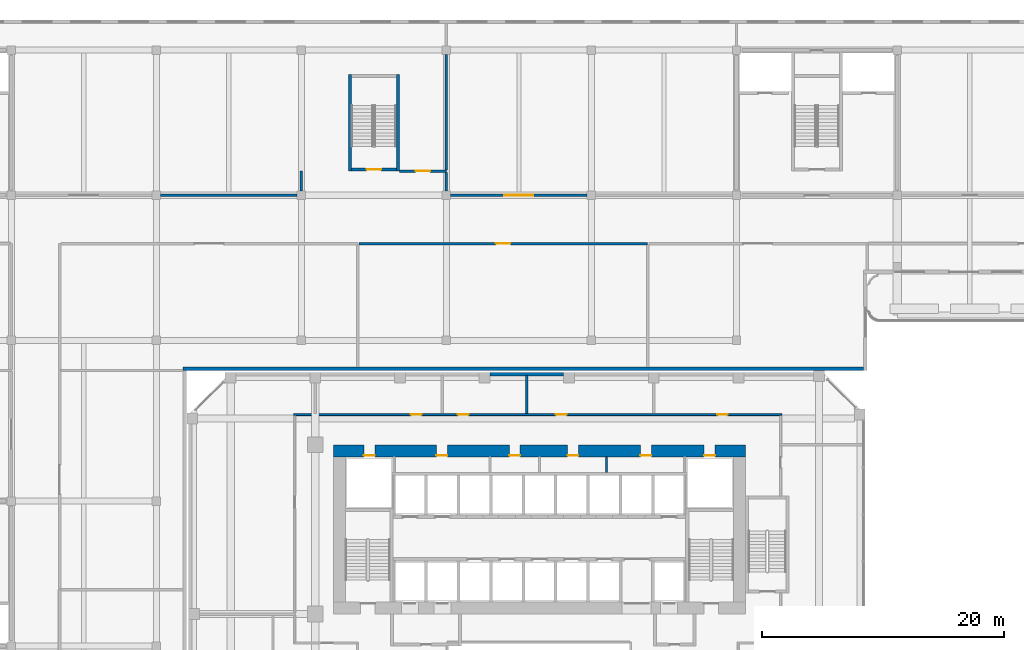
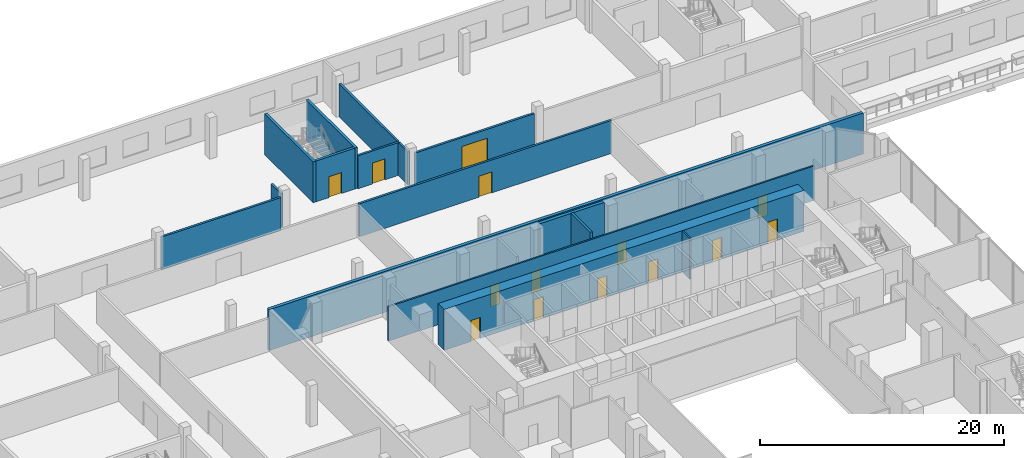
# One storey, part 22 of 36: 16 walls, 14 doors, 14 openings.
"""IFC4 building model written with IfcOpenShell, lengths in metres."""

from ifc_helpers import new_model, si_unit, direction, frame, frame_2d, origin, place, context, subcontext, project, spatial, rectangle, extrude, source, transform, mapped, material, layer, layer_set, type_object, element, fill, save


model = new_model("IFC4")

# Units and contexts
model_context = context("Model", 3, precision=1e-05, world=origin(), true_north=direction((0.0, 1.0)))
body_context = subcontext(model_context, "Body", "Model", "MODEL_VIEW")
ifc_project = project(units=[si_unit("LENGTHUNIT", "METRE"), si_unit("AREAUNIT", "SQUARE_METRE"), si_unit("VOLUMEUNIT", "CUBIC_METRE"), si_unit("PLANEANGLEUNIT", "RADIAN"), si_unit("MASSUNIT", "GRAM", prefix="KILO")], contexts=[model_context])

# Site, building, storey
site_placement = place(None, origin())
site = spatial("IfcSite", under=ifc_project, at=site_placement, CompositionType="ELEMENT")
building_placement = place(site_placement, origin())
building = spatial("IfcBuilding", under=site, at=building_placement, Name="Kilnfold Tower and Market Hall", CompositionType="ELEMENT")
storey_placement = place(building_placement, frame((0.0, 0.0, 18.0)))
storey = spatial("IfcBuildingStorey", under=building, at=storey_placement, Name="L03", CompositionType="ELEMENT", Elevation=18.0)

# Wall, openings, doors
ifc_material_1 = material(Name="Gypsum board on steel studs", Category="steel")
ifc_layer_1 = layer(ifc_material_1, 0.14990234375)
ifc_layer_set_1 = layer_set([ifc_layer_1], Name="Gypsum board on steel studs")
wall_type_1 = type_object("IfcWallType", Name="WALL CORRIDOR 150", PredefinedType="PARTITIONING", material=ifc_layer_set_1)
wall_1_placement = place(storey_placement, frame((-19.27490234375, 24.5, 0.0), z_axis=(0.0, 0.0, 1.0), x_axis=(1.0, 0.0, 0.0)))
wall_1 = element("IfcWall", 1, at=wall_1_placement, inside=storey, type_object=wall_type_1, Name="Partition LY04.35", PredefinedType="PARTITIONING", context=body_context, shape_type="SweptSolid", body=[
    extrude(rectangle(XDim=40.349853515625, YDim=0.14990234375, at=frame_2d((20.1748046875, 0.0))), origin(), (0.0, 0.0, 1.0), 3.449951171875),
])
opening_1_placement = place(wall_1_placement, frame((9.681884765625, 0.0, 0.0)))
opening_1 = element("IfcOpeningElement", 2, at=opening_1_placement, cuts=wall_1, Name="Opening D3", PredefinedType="OPENING", context=body_context, shape_type="SweptSolid", body=[
    extrude(rectangle(XDim=0.89990234375, YDim=2.10009765625, at=frame_2d((0.449951171875, 1.050048828125))), frame((0.0, 0.0849609375, 0.0), z_axis=(0.0, -1.0, 0.0), x_axis=(1.0, 0.0, 0.0)), (0.0, 0.0, 1.0), 0.169921875),
])
opening_2_placement = place(wall_1_placement, frame((13.569091796875, 0.0, 0.0)))
opening_2 = element("IfcOpeningElement", 3, at=opening_2_placement, cuts=wall_1, Name="Opening D2", PredefinedType="OPENING", context=body_context, shape_type="SweptSolid", body=[
    extrude(rectangle(XDim=0.89990234375, YDim=2.10009765625, at=frame_2d((0.449951171875, 1.050048828125))), frame((0.0, 0.0849609375, 0.0), z_axis=(0.0, -1.0, 0.0), x_axis=(1.0, 0.0, 0.0)), (0.0, 0.0, 1.0), 0.169921875),
])
opening_3_placement = place(wall_1_placement, frame((21.669921875, 0.0, 0.0)))
opening_3 = element("IfcOpeningElement", 4, at=opening_3_placement, cuts=wall_1, Name="Opening D2", PredefinedType="OPENING", context=body_context, shape_type="SweptSolid", body=[
    extrude(rectangle(XDim=0.89990234375, YDim=2.10009765625, at=frame_2d((0.449951171875, 1.050048828125))), frame((0.0, 0.0849609375, 0.0), z_axis=(0.0, -1.0, 0.0), x_axis=(1.0, 0.0, 0.0)), (0.0, 0.0, 1.0), 0.169921875),
])
opening_4_placement = place(wall_1_placement, frame((35.010986328125, 0.0, 0.0)))
opening_4 = element("IfcOpeningElement", 5, at=opening_4_placement, cuts=wall_1, Name="Opening D2", PredefinedType="OPENING", context=body_context, shape_type="SweptSolid", body=[
    extrude(rectangle(XDim=0.89990234375, YDim=2.10009765625, at=frame_2d((0.449951171875, 1.050048828125))), frame((0.0, 0.0849609375, 0.0), z_axis=(0.0, -1.0, 0.0), x_axis=(1.0, 0.0, 0.0)), (0.0, 0.0, 1.0), 0.169921875),
])
ifc_material_2 = material(Name="Timber veneer door leaf in steel frame", Category="steel")
door_type_1 = type_object("IfcDoorType", Name="DOOR ROOM 900 X2100", OperationType="NOTDEFINED", PredefinedType="DOOR", material=ifc_material_2)
door_1_placement = place(opening_2_placement, origin())
door_1 = element("IfcDoor", 6, at=door_1_placement, inside=storey, type_object=door_type_1, Name="Door D2", OperationType="SINGLE_SWING_LEFT", OverallHeight=2.10009765625, OverallWidth=0.89990234375, PredefinedType="DOOR", context=body_context, shape_type="SweptSolid", body=[
    extrude(rectangle(XDim=0.89990234375, YDim=2.10009765625, at=frame_2d((0.449951171875, 1.050048828125))), frame((0.0, 0.02490234375, 0.0), z_axis=(0.0, -1.0, 0.0), x_axis=(1.0, 0.0, 0.0)), (0.0, 0.0, 1.0), 0.050048828125),
])
fill(opening_2, door_1)
door_2_placement = place(opening_3_placement, origin())
door_2 = element("IfcDoor", 7, at=door_2_placement, inside=storey, type_object=door_type_1, Name="Door D2", OperationType="SINGLE_SWING_LEFT", OverallHeight=2.10009765625, OverallWidth=0.89990234375, PredefinedType="DOOR", context=body_context, shape_type="SweptSolid", body=[
    extrude(rectangle(XDim=0.89990234375, YDim=2.10009765625, at=frame_2d((0.449951171875, 1.050048828125))), frame((0.0, 0.02490234375, 0.0), z_axis=(0.0, -1.0, 0.0), x_axis=(1.0, 0.0, 0.0)), (0.0, 0.0, 1.0), 0.050048828125),
])
fill(opening_3, door_2)
door_3_placement = place(opening_4_placement, origin())
door_3 = element("IfcDoor", 8, at=door_3_placement, inside=storey, type_object=door_type_1, Name="Door D2", OperationType="SINGLE_SWING_LEFT", OverallHeight=2.10009765625, OverallWidth=0.89990234375, PredefinedType="DOOR", context=body_context, shape_type="SweptSolid", body=[
    extrude(rectangle(XDim=0.89990234375, YDim=2.10009765625, at=frame_2d((0.449951171875, 1.050048828125))), frame((0.0, 0.02490234375, 0.0), z_axis=(0.0, -1.0, 0.0), x_axis=(1.0, 0.0, 0.0)), (0.0, 0.0, 1.0), 0.050048828125),
])
fill(opening_4, door_3)
ifc_material_3 = material(Name="Timber veneer door leaf in steel frame", Category="steel")
door_type_2 = type_object("IfcDoorType", Name="DOOR WC 900 X2100", OperationType="NOTDEFINED", PredefinedType="DOOR", material=ifc_material_3)
door_4_placement = place(opening_1_placement, origin())
door_4 = element("IfcDoor", 9, at=door_4_placement, inside=storey, type_object=door_type_2, Name="Door D3", OperationType="SINGLE_SWING_RIGHT", OverallHeight=2.10009765625, OverallWidth=0.89990234375, PredefinedType="DOOR", context=body_context, shape_type="SweptSolid", body=[
    extrude(rectangle(XDim=0.89990234375, YDim=2.10009765625, at=frame_2d((0.449951171875, 1.050048828125))), frame((0.0, 0.02490234375, 0.0), z_axis=(0.0, -1.0, 0.0), x_axis=(1.0, 0.0, 0.0)), (0.0, 0.0, 1.0), 0.050048828125),
])
fill(opening_1, door_4)

# Wall
ifc_material_4 = material(Name="Gypsum board on steel studs", Category="steel")
ifc_layer_2 = layer(ifc_material_4, 0.199951171875)
ifc_layer_set_2 = layer_set([ifc_layer_2], Name="Gypsum board on steel studs")
wall_type_2 = type_object("IfcWallType", Name="WALL PARTY 200", PredefinedType="PARTITIONING", material=ifc_layer_set_2)
wall_2_placement = place(storey_placement, frame((0.0, 24.575927734375, 0.0), z_axis=(0.0, 0.0, 1.0), x_axis=(0.0, 1.0, 0.0)))
element("IfcWall", 10, at=wall_2_placement, inside=storey, type_object=wall_type_2, Name="Partition LY04.63", PredefinedType="PARTITIONING", context=body_context, shape_type="SweptSolid", body=[
    extrude(rectangle(XDim=3.174072265625, YDim=0.199951171875, at=frame_2d((1.5869140625, 0.0))), origin(), (0.0, 0.0, 1.0), 4.10009765625),
])

# Wall, openings, doors
ifc_material_5 = material(Name="Concrete C80", Category="concrete")
ifc_layer_3 = layer(ifc_material_5, 1.0)
ifc_layer_set_3 = layer_set([ifc_layer_3], Name="Concrete C80")
wall_type_3 = type_object("IfcWallType", Name="CORE WALL 1000 C80", PredefinedType="SHEAR", material=ifc_layer_set_3)
shared_shape_1 = source(origin(), body_context, "Body", "SweptSolid", [
    extrude(rectangle(XDim=34.10009765625, YDim=1.0, at=frame_2d((17.050048828125, 0.0))), origin(), (0.0, 0.0, 1.0), 4.10009765625),
])
wall_3_placement = place(storey_placement, frame((-16.0, 21.5, 0.0), z_axis=(0.0, 0.0, 1.0), x_axis=(1.0, 0.0, 0.0)))
wall_3 = element("IfcWall", 11, at=wall_3_placement, inside=storey, type_object=wall_type_3, Name="Core outer wall north", PredefinedType="SHEAR", context=body_context, shape_type="MappedRepresentation", body=[
    mapped(shared_shape_1, transform((0.0, 0.0, 0.0))),
])
opening_5_placement = place(wall_3_placement, frame((8.519775390625, 0.0, 0.0)))
opening_5 = element("IfcOpeningElement", 12, at=opening_5_placement, cuts=wall_3, Name="Opening KD1", PredefinedType="OPENING", context=body_context, shape_type="SweptSolid", body=[
    extrude(rectangle(XDim=0.89990234375, YDim=2.10009765625, at=frame_2d((0.449951171875, 1.050048828125))), frame((0.0, 0.510009765625, 0.0), z_axis=(0.0, -1.0, 0.0), x_axis=(1.0, 0.0, 0.0)), (0.0, 0.0, 1.0), 1.02001953125),
])
opening_6_placement = place(wall_3_placement, frame((14.5498046875, 0.0, 0.0)))
opening_6 = element("IfcOpeningElement", 13, at=opening_6_placement, cuts=wall_3, Name="Opening KD1", PredefinedType="OPENING", context=body_context, shape_type="SweptSolid", body=[
    extrude(rectangle(XDim=0.89990234375, YDim=2.10009765625, at=frame_2d((0.449951171875, 1.050048828125))), frame((0.0, 0.510009765625, 0.0), z_axis=(0.0, -1.0, 0.0), x_axis=(1.0, 0.0, 0.0)), (0.0, 0.0, 1.0), 1.02001953125),
])
opening_7_placement = place(wall_3_placement, frame((19.373779296875, 0.0, 0.0)))
opening_7 = element("IfcOpeningElement", 14, at=opening_7_placement, cuts=wall_3, Name="Opening KD1", PredefinedType="OPENING", context=body_context, shape_type="SweptSolid", body=[
    extrude(rectangle(XDim=0.89990234375, YDim=2.10009765625, at=frame_2d((0.449951171875, 1.050048828125))), frame((0.0, 0.510009765625, 0.0), z_axis=(0.0, -1.0, 0.0), x_axis=(1.0, 0.0, 0.0)), (0.0, 0.0, 1.0), 1.02001953125),
])
opening_8_placement = place(wall_3_placement, frame((25.40380859375, 0.0, 0.0)))
opening_8 = element("IfcOpeningElement", 15, at=opening_8_placement, cuts=wall_3, Name="Opening KD1", PredefinedType="OPENING", context=body_context, shape_type="SweptSolid", body=[
    extrude(rectangle(XDim=0.89990234375, YDim=2.10009765625, at=frame_2d((0.449951171875, 1.050048828125))), frame((0.0, 0.510009765625, 0.0), z_axis=(0.0, -1.0, 0.0), x_axis=(1.0, 0.0, 0.0)), (0.0, 0.0, 1.0), 1.02001953125),
])
opening_9_placement = place(wall_3_placement, frame((2.52490234375, 0.0, 0.0)))
opening_9 = element("IfcOpeningElement", 16, at=opening_9_placement, cuts=wall_3, Name="Opening KD1", PredefinedType="OPENING", context=body_context, shape_type="SweptSolid", body=[
    extrude(rectangle(XDim=0.89990234375, YDim=2.10009765625, at=frame_2d((0.449951171875, 1.050048828125))), frame((0.0, 0.510009765625, 0.0), z_axis=(0.0, -1.0, 0.0), x_axis=(1.0, 0.0, 0.0)), (0.0, 0.0, 1.0), 1.02001953125),
])
opening_10_placement = place(wall_3_placement, frame((30.675048828125, 0.0, 0.0)))
opening_10 = element("IfcOpeningElement", 17, at=opening_10_placement, cuts=wall_3, Name="Opening KD1", PredefinedType="OPENING", context=body_context, shape_type="SweptSolid", body=[
    extrude(rectangle(XDim=0.89990234375, YDim=2.10009765625, at=frame_2d((0.449951171875, 1.050048828125))), frame((0.0, 0.510009765625, 0.0), z_axis=(0.0, -1.0, 0.0), x_axis=(1.0, 0.0, 0.0)), (0.0, 0.0, 1.0), 1.02001953125),
])
ifc_material_6 = material(Name="Steel door set with fire-resisting leaf", Category="steel")
door_type_3 = type_object("IfcDoorType", Name="SERVICE DOOR 900X2100", OperationType="NOTDEFINED", PredefinedType="DOOR", material=ifc_material_6)
door_5_placement = place(opening_5_placement, origin())
door_5 = element("IfcDoor", 18, at=door_5_placement, inside=storey, type_object=door_type_3, Name="Core service door", OperationType="SINGLE_SWING_RIGHT", OverallHeight=2.10009765625, OverallWidth=0.89990234375, PredefinedType="DOOR", context=body_context, shape_type="SweptSolid", body=[
    extrude(rectangle(XDim=0.89990234375, YDim=2.10009765625, at=frame_2d((0.449951171875, 1.050048828125))), frame((0.0, -0.35498046875, 0.0), z_axis=(0.0, -1.0, 0.0), x_axis=(1.0, 0.0, 0.0)), (0.0, 0.0, 1.0), 0.050048828125),
])
fill(opening_5, door_5)
door_6_placement = place(opening_6_placement, origin())
door_6 = element("IfcDoor", 19, at=door_6_placement, inside=storey, type_object=door_type_3, Name="Core service door", OperationType="SINGLE_SWING_LEFT", OverallHeight=2.10009765625, OverallWidth=0.89990234375, PredefinedType="DOOR", context=body_context, shape_type="SweptSolid", body=[
    extrude(rectangle(XDim=0.89990234375, YDim=2.10009765625, at=frame_2d((0.449951171875, 1.050048828125))), frame((0.0, -0.35498046875, 0.0), z_axis=(0.0, -1.0, 0.0), x_axis=(1.0, 0.0, 0.0)), (0.0, 0.0, 1.0), 0.050048828125),
])
fill(opening_6, door_6)
door_7_placement = place(opening_7_placement, origin())
door_7 = element("IfcDoor", 20, at=door_7_placement, inside=storey, type_object=door_type_3, Name="Core service door", OperationType="SINGLE_SWING_RIGHT", OverallHeight=2.10009765625, OverallWidth=0.89990234375, PredefinedType="DOOR", context=body_context, shape_type="SweptSolid", body=[
    extrude(rectangle(XDim=0.89990234375, YDim=2.10009765625, at=frame_2d((0.449951171875, 1.050048828125))), frame((0.0, -0.35498046875, 0.0), z_axis=(0.0, -1.0, 0.0), x_axis=(1.0, 0.0, 0.0)), (0.0, 0.0, 1.0), 0.050048828125),
])
fill(opening_7, door_7)
door_8_placement = place(opening_8_placement, origin())
door_8 = element("IfcDoor", 21, at=door_8_placement, inside=storey, type_object=door_type_3, Name="Core service door", OperationType="SINGLE_SWING_LEFT", OverallHeight=2.10009765625, OverallWidth=0.89990234375, PredefinedType="DOOR", context=body_context, shape_type="SweptSolid", body=[
    extrude(rectangle(XDim=0.89990234375, YDim=2.10009765625, at=frame_2d((0.449951171875, 1.050048828125))), frame((0.0, -0.35498046875, 0.0), z_axis=(0.0, -1.0, 0.0), x_axis=(1.0, 0.0, 0.0)), (0.0, 0.0, 1.0), 0.050048828125),
])
fill(opening_8, door_8)
door_9_placement = place(opening_9_placement, origin())
door_9 = element("IfcDoor", 22, at=door_9_placement, inside=storey, type_object=door_type_3, Name="Electrical riser access door", OperationType="SINGLE_SWING_RIGHT", OverallHeight=2.10009765625, OverallWidth=0.89990234375, PredefinedType="DOOR", context=body_context, shape_type="SweptSolid", body=[
    extrude(rectangle(XDim=0.89990234375, YDim=2.10009765625, at=frame_2d((0.449951171875, 1.050048828125))), frame((0.0, -0.35498046875, 0.0), z_axis=(0.0, -1.0, 0.0), x_axis=(1.0, 0.0, 0.0)), (0.0, 0.0, 1.0), 0.050048828125),
])
fill(opening_9, door_9)
door_10_placement = place(opening_10_placement, origin())
door_10 = element("IfcDoor", 23, at=door_10_placement, inside=storey, type_object=door_type_3, Name="Mechanical riser access door", OperationType="SINGLE_SWING_LEFT", OverallHeight=2.10009765625, OverallWidth=0.89990234375, PredefinedType="DOOR", context=body_context, shape_type="SweptSolid", body=[
    extrude(rectangle(XDim=0.89990234375, YDim=2.10009765625, at=frame_2d((0.449951171875, 1.050048828125))), frame((0.0, -0.35498046875, 0.0), z_axis=(0.0, -1.0, 0.0), x_axis=(1.0, 0.0, 0.0)), (0.0, 0.0, 1.0), 0.050048828125),
])
fill(opening_10, door_10)

# Wall, opening, door
ifc_material_7 = material(Name="Concrete C50/60", Category="concrete")
ifc_layer_4 = layer(ifc_material_7, 0.25)
ifc_layer_set_4 = layer_set([ifc_layer_4], Name="Concrete C50/60")
wall_type_4 = type_object("IfcWallType", Name="HALL CORE WALL 250", PredefinedType="SHEAR", material=ifc_layer_set_4)
shared_shape_2 = source(origin(), body_context, "Body", "SweptSolid", [
    extrude(rectangle(XDim=3.699951171875, YDim=0.25, at=frame_2d((1.85009765625, 0.0))), origin(), (0.0, 0.0, 1.0), 4.10009765625),
])
wall_4_placement = place(storey_placement, frame((-14.5, 44.77490234375, 0.0), z_axis=(0.0, 0.0, 1.0), x_axis=(1.0, 0.0, 0.0)))
wall_4 = element("IfcWall", 24, at=wall_4_placement, inside=storey, type_object=wall_type_4, Name="Core wall MS4", PredefinedType="SHEAR", context=body_context, shape_type="MappedRepresentation", body=[
    mapped(shared_shape_2, transform((0.0, 0.0, 0.0))),
])
opening_11_placement = place(wall_4_placement, frame((1.25, 0.0, 0.0)))
opening_11 = element("IfcOpeningElement", 25, at=opening_11_placement, cuts=wall_4, Name="Opening MD9-60", PredefinedType="OPENING", context=body_context, shape_type="SweptSolid", body=[
    extrude(rectangle(XDim=1.199951171875, YDim=2.10009765625, at=frame_2d((0.60009765625, 1.050048828125))), frame((0.0, 0.135009765625, 0.0), z_axis=(0.0, -1.0, 0.0), x_axis=(1.0, 0.0, 0.0)), (0.0, 0.0, 1.0), 0.27001953125),
])
ifc_material_8 = material(Name="Steel S355", Category="steel")
door_type_4 = type_object("IfcDoorType", Name="HALL DOOR STAIR 1200X2100 FD60", OperationType="NOTDEFINED", PredefinedType="DOOR", material=ifc_material_8)
door_11_placement = place(opening_11_placement, origin())
door_11 = element("IfcDoor", 26, at=door_11_placement, inside=storey, type_object=door_type_4, Name="Door MD9-60", OperationType="DOUBLE_DOOR_SINGLE_SWING", OverallHeight=2.10009765625, OverallWidth=1.199951171875, PredefinedType="DOOR", context=body_context, shape_type="SweptSolid", body=[
    extrude(rectangle(XDim=1.199951171875, YDim=2.10009765625, at=frame_2d((0.60009765625, 1.050048828125))), frame((0.0, 0.02490234375, 0.0), z_axis=(0.0, -1.0, 0.0), x_axis=(1.0, 0.0, 0.0)), (0.0, 0.0, 1.0), 0.050048828125),
])
fill(opening_11, door_11)

# Walls
shared_shape_3 = source(origin(), body_context, "Body", "SweptSolid", [
    extrude(rectangle(XDim=8.0, YDim=0.25, at=frame_2d((4.0, 0.0))), origin(), (0.0, 0.0, 1.0), 4.10009765625),
])
for number, where, z_axis, x_axis, name in (
    (27, (-14.625, 44.64990234375, 0.0), (0.0, 0.0, 1.0), (0.0, 1.0, 0.0), "Core wall MS4"),
    (28, (-10.675048828125, 44.64990234375, 0.0), (0.0, 0.0, 1.0), (0.0, 1.0, 0.0), "Core wall MS4"),
):
    element("IfcWall", number, at=place(storey_placement, frame(where, z_axis=z_axis, x_axis=x_axis)), inside=storey, type_object=wall_type_4, Name=name, PredefinedType="SHEAR", context=body_context, shape_type="MappedRepresentation", body=[
        mapped(shared_shape_3, transform((0.0, 0.0, 0.0))),
    ])
ifc_material_9 = material(Name="Precast concrete C50/60", Category="concrete")
ifc_layer_5 = layer(ifc_material_9, 0.300048828125)
ifc_layer_set_5 = layer_set([ifc_layer_5], Name="Precast concrete C50/60")
wall_type_5 = type_object("IfcWallType", Name="PRECAST WALL 300", PredefinedType="SOLIDWALL", material=ifc_layer_set_5)
shared_shape_4 = source(origin(), body_context, "Body", "SweptSolid", [
    extrude(rectangle(XDim=6.10009765625, YDim=0.300048828125, at=frame_2d((3.050048828125, 0.0))), origin(), (0.0, 0.0, 1.0), 4.10009765625),
])
wall_5_placement = place(storey_placement, frame((3.050048828125, 27.85009765625, 0.0), z_axis=(0.0, 0.0, 1.0), x_axis=(-1.0, 0.0, 0.0)))
element("IfcWall", 29, at=wall_5_placement, inside=storey, type_object=wall_type_5, Name="Party wall L03 N", PredefinedType="SOLIDWALL", context=body_context, shape_type="MappedRepresentation", body=[
    mapped(shared_shape_4, transform((0.0, 0.0, 0.0))),
])
ifc_material_10 = material(Name="Concrete blockwork", Category="masonry")
ifc_layer_6 = layer(ifc_material_10, 0.300048828125)
ifc_layer_set_6 = layer_set([ifc_layer_6], Name="Concrete blockwork")
wall_type_6 = type_object("IfcWallType", Name="HALL EXTERNAL WALL 300 EI 120", PredefinedType="SOLIDWALL", material=ifc_layer_set_6)
shared_shape_5 = source(origin(), body_context, "Body", "SweptSolid", [
    extrude(rectangle(XDim=56.300048828125, YDim=0.300048828125, at=frame_2d((28.14990234375, 0.0))), origin(), (0.0, 0.0, 1.0), 4.10009765625),
])
wall_6_placement = place(storey_placement, frame((27.85009765625, 28.300048828125, 0.0), z_axis=(0.0, 0.0, 1.0), x_axis=(-1.0, 0.0, 0.0)))
element("IfcWall", 30, at=wall_6_placement, inside=storey, type_object=wall_type_6, Name="Joint wall MEW-L03.6", PredefinedType="SOLIDWALL", context=body_context, shape_type="MappedRepresentation", body=[
    mapped(shared_shape_5, transform((0.0, 0.0, 0.0))),
])
ifc_material_11 = material(Name="Gypsum shaft wall system")
ifc_layer_7 = layer(ifc_material_11, 0.14990234375)
ifc_layer_set_7 = layer_set([ifc_layer_7], Name="Gypsum shaft wall system")
wall_type_7 = type_object("IfcWallType", Name="ROOM WALL 150", PredefinedType="PARTITIONING", material=ifc_layer_set_7)
shared_shape_6 = source(origin(), body_context, "Body", "SweptSolid", [
    extrude(rectangle(XDim=1.27490234375, YDim=0.14990234375, at=frame_2d((0.637451171875, 0.0))), origin(), (0.0, 0.0, 1.0), 4.10009765625),
])
wall_7_placement = place(storey_placement, frame((6.59765625, 19.72509765625, 0.0), z_axis=(0.0, 0.0, 1.0), x_axis=(0.0, 1.0, 0.0)))
element("IfcWall", 31, at=wall_7_placement, inside=storey, type_object=wall_type_7, Name="Core room wall", PredefinedType="PARTITIONING", context=body_context, shape_type="MappedRepresentation", body=[
    mapped(shared_shape_6, transform((0.0, 0.0, 0.0))),
])

# Wall, opening, door
ifc_material_12 = material(Name="Concrete blockwork", Category="masonry")
ifc_layer_8 = layer(ifc_material_12, 0.199951171875)
ifc_layer_set_8 = layer_set([ifc_layer_8], Name="Concrete blockwork")
wall_type_8 = type_object("IfcWallType", Name="HALL PARTITION 200 EI 120", PredefinedType="PARTITIONING", material=ifc_layer_set_8)
shared_shape_7 = source(origin(), body_context, "Body", "SweptSolid", [
    extrude(rectangle(XDim=3.900146484375, YDim=0.199951171875, at=frame_2d((1.9501953125, 0.0))), origin(), (0.0, 0.0, 1.0), 3.300048828125),
])
wall_8_placement = place(storey_placement, frame((-10.550048828125, 44.64990234375, 0.0), z_axis=(0.0, 0.0, 1.0), x_axis=(1.0, 0.0, 0.0)))
wall_8 = element("IfcWall", 32, at=wall_8_placement, inside=storey, type_object=wall_type_8, Name="Partition W-MH-L03.36", PredefinedType="PARTITIONING", context=body_context, shape_type="MappedRepresentation", body=[
    mapped(shared_shape_7, transform((0.0, 0.0, 0.0))),
])
opening_12_placement = place(wall_8_placement, frame((1.35009765625, 0.0, 0.0)))
opening_12 = element("IfcOpeningElement", 33, at=opening_12_placement, cuts=wall_8, Name="Opening MD3-120", PredefinedType="OPENING", context=body_context, shape_type="SweptSolid", body=[
    extrude(rectangle(XDim=1.199951171875, YDim=2.10009765625, at=frame_2d((0.60009765625, 1.050048828125))), frame((0.0, 0.10986328125, 0.0), z_axis=(0.0, -1.0, 0.0), x_axis=(1.0, 0.0, 0.0)), (0.0, 0.0, 1.0), 0.219970703125),
])
ifc_material_13 = material(Name="Steel S355", Category="steel")
door_type_5 = type_object("IfcDoorType", Name="HALL DOOR SERVICE 1200X2100 FD120", OperationType="NOTDEFINED", PredefinedType="DOOR", material=ifc_material_13)
door_12_placement = place(opening_12_placement, origin())
door_12 = element("IfcDoor", 34, at=door_12_placement, inside=storey, type_object=door_type_5, Name="Door MD3-120", OperationType="SINGLE_SWING_LEFT", OverallHeight=2.10009765625, OverallWidth=1.199951171875, PredefinedType="DOOR", context=body_context, shape_type="SweptSolid", body=[
    extrude(rectangle(XDim=1.199951171875, YDim=2.10009765625, at=frame_2d((0.60009765625, 1.050048828125))), frame((0.0, 0.02490234375, 0.0), z_axis=(0.0, -1.0, 0.0), x_axis=(1.0, 0.0, 0.0)), (0.0, 0.0, 1.0), 0.050048828125),
])
fill(opening_12, door_12)

shared_shape_8 = source(origin(), body_context, "Body", "SweptSolid", [
    extrude(rectangle(XDim=23.89990234375, YDim=0.199951171875, at=frame_2d((11.949951171875, 0.0))), origin(), (0.0, 0.0, 1.0), 3.300048828125),
])
wall_9_placement = place(storey_placement, frame((10.0, 38.64990234375, 0.0), z_axis=(0.0, 0.0, 1.0), x_axis=(-1.0, 0.0, 0.0)))
wall_9 = element("IfcWall", 35, at=wall_9_placement, inside=storey, type_object=wall_type_8, Name="Partition W-MH-L03.42", PredefinedType="PARTITIONING", context=body_context, shape_type="MappedRepresentation", body=[
    mapped(shared_shape_8, transform((0.0, 0.0, 0.0))),
])
opening_13_placement = place(wall_9_placement, frame((11.35009765625, 0.0, 0.0)))
opening_13 = element("IfcOpeningElement", 36, at=opening_13_placement, cuts=wall_9, Name="Opening MD3-120", PredefinedType="OPENING", context=body_context, shape_type="SweptSolid", body=[
    extrude(rectangle(XDim=1.199951171875, YDim=2.10009765625, at=frame_2d((0.60009765625, 1.050048828125))), frame((0.0, 0.10986328125, 0.0), z_axis=(0.0, -1.0, 0.0), x_axis=(1.0, 0.0, 0.0)), (0.0, 0.0, 1.0), 0.219970703125),
])
door_13_placement = place(opening_13_placement, origin())
door_13 = element("IfcDoor", 37, at=door_13_placement, inside=storey, type_object=door_type_5, Name="Door MD3-120", OperationType="SINGLE_SWING_RIGHT", OverallHeight=2.10009765625, OverallWidth=1.199951171875, PredefinedType="DOOR", context=body_context, shape_type="SweptSolid", body=[
    extrude(rectangle(XDim=1.199951171875, YDim=2.10009765625, at=frame_2d((0.60009765625, 1.050048828125))), frame((0.0, 0.02490234375, 0.0), z_axis=(0.0, -1.0, 0.0), x_axis=(1.0, 0.0, 0.0)), (0.0, 0.0, 1.0), 0.050048828125),
])
fill(opening_13, door_13)

# Walls
shared_shape_9 = source(origin(), body_context, "Body", "SweptSolid", [
    extrude(rectangle(XDim=9.550048828125, YDim=0.199951171875, at=frame_2d((4.77490234375, 0.0))), origin(), (0.0, 0.0, 1.0), 3.300048828125),
])
wall_10_placement = place(storey_placement, frame((-6.64990234375, 54.300048828125, 0.0), z_axis=(0.0, 0.0, 1.0), x_axis=(0.0, -1.0, 0.0)))
element("IfcWall", 38, at=wall_10_placement, inside=storey, type_object=wall_type_8, Name="Partition W-MH-L03.38", PredefinedType="PARTITIONING", context=body_context, shape_type="MappedRepresentation", body=[
    mapped(shared_shape_9, transform((0.0, 0.0, 0.0))),
])
ifc_material_14 = material(Name="Concrete blockwork", Category="masonry")
ifc_layer_9 = layer(ifc_material_14, 0.199951171875)
ifc_layer_set_9 = layer_set([ifc_layer_9], Name="Concrete blockwork")
wall_type_9 = type_object("IfcWallType", Name="HALL PARTITION 200 EI 60", PredefinedType="PARTITIONING", material=ifc_layer_set_9)
shared_shape_10 = source(origin(), body_context, "Body", "SweptSolid", [
    extrude(rectangle(XDim=1.550048828125, YDim=0.199951171875, at=frame_2d((0.77490234375, 0.0))), origin(), (0.0, 0.0, 1.0), 3.300048828125),
])
wall_11_placement = place(storey_placement, frame((-6.64990234375, 44.550048828125, 0.0), z_axis=(0.0, 0.0, 1.0), x_axis=(0.0, -1.0, 0.0)))
element("IfcWall", 39, at=wall_11_placement, inside=storey, type_object=wall_type_9, Name="Partition W-MH-L03.37", PredefinedType="PARTITIONING", context=body_context, shape_type="MappedRepresentation", body=[
    mapped(shared_shape_10, transform((0.0, 0.0, 0.0))),
])
shared_shape_11 = source(origin(), body_context, "Body", "SweptSolid", [
    extrude(rectangle(XDim=11.300048828125, YDim=0.199951171875, at=frame_2d((5.64990234375, 0.0))), origin(), (0.0, 0.0, 1.0), 3.300048828125),
])
wall_12_placement = place(storey_placement, frame((-30.300048828125, 42.64990234375, 0.0), z_axis=(0.0, 0.0, 1.0), x_axis=(1.0, 0.0, 0.0)))
element("IfcWall", 40, at=wall_12_placement, inside=storey, type_object=wall_type_9, Name="Partition W-MH-L03.32", PredefinedType="PARTITIONING", context=body_context, shape_type="MappedRepresentation", body=[
    mapped(shared_shape_11, transform((0.0, 0.0, 0.0))),
])

# Wall, opening, door
wall_13_placement = place(storey_placement, frame((-6.300048828125, 42.64990234375, 0.0), z_axis=(0.0, 0.0, 1.0), x_axis=(1.0, 0.0, 0.0)))
wall_13 = element("IfcWall", 41, at=wall_13_placement, inside=storey, type_object=wall_type_9, Name="Partition W-MH-L03.40", PredefinedType="PARTITIONING", context=body_context, shape_type="MappedRepresentation", body=[
    mapped(shared_shape_11, transform((0.0, 0.0, 0.0))),
])
opening_14_placement = place(wall_13_placement, frame((4.449951171875, 0.0, 0.0)))
opening_14 = element("IfcOpeningElement", 42, at=opening_14_placement, cuts=wall_13, Name="Opening MD7-60", PredefinedType="OPENING", context=body_context, shape_type="SweptSolid", body=[
    extrude(rectangle(XDim=2.39990234375, YDim=2.39990234375, at=frame_2d((1.199951171875, 1.199951171875))), frame((0.0, 0.10986328125, 0.0), z_axis=(0.0, -1.0, 0.0), x_axis=(1.0, 0.0, 0.0)), (0.0, 0.0, 1.0), 0.219970703125),
])
ifc_material_15 = material(Name="Aluminium glazing", Category="aluminium")
door_type_6 = type_object("IfcDoorType", Name="HALL DOOR HALL 2400X2400 FD60", OperationType="NOTDEFINED", PredefinedType="DOOR", material=ifc_material_15)
door_14_placement = place(opening_14_placement, origin())
door_14 = element("IfcDoor", 43, at=door_14_placement, inside=storey, type_object=door_type_6, Name="Door MD7-60", OperationType="DOUBLE_DOOR_SINGLE_SWING", OverallHeight=2.39990234375, OverallWidth=2.39990234375, PredefinedType="DOOR", context=body_context, shape_type="SweptSolid", body=[
    extrude(rectangle(XDim=2.39990234375, YDim=2.39990234375, at=frame_2d((1.199951171875, 1.199951171875))), frame((0.0, 0.02490234375, 0.0), z_axis=(0.0, -1.0, 0.0), x_axis=(1.0, 0.0, 0.0)), (0.0, 0.0, 1.0), 0.050048828125),
])
fill(opening_14, door_14)

# Wall
shared_shape_12 = source(origin(), body_context, "Body", "SweptSolid", [
    extrude(rectangle(XDim=1.64990234375, YDim=0.199951171875, at=frame_2d((0.824951171875, 0.0))), origin(), (0.0, 0.0, 1.0), 3.300048828125),
])
wall_14_placement = place(storey_placement, frame((-18.64990234375, 43.0, 0.0), z_axis=(0.0, 0.0, 1.0), x_axis=(0.0, 1.0, 0.0)))
element("IfcWall", 44, at=wall_14_placement, inside=storey, type_object=wall_type_9, Name="Partition W-MH-L03.33", PredefinedType="PARTITIONING", context=body_context, shape_type="MappedRepresentation", body=[
    mapped(shared_shape_12, transform((0.0, 0.0, 0.0))),
])

save(model, "model.ifc")
